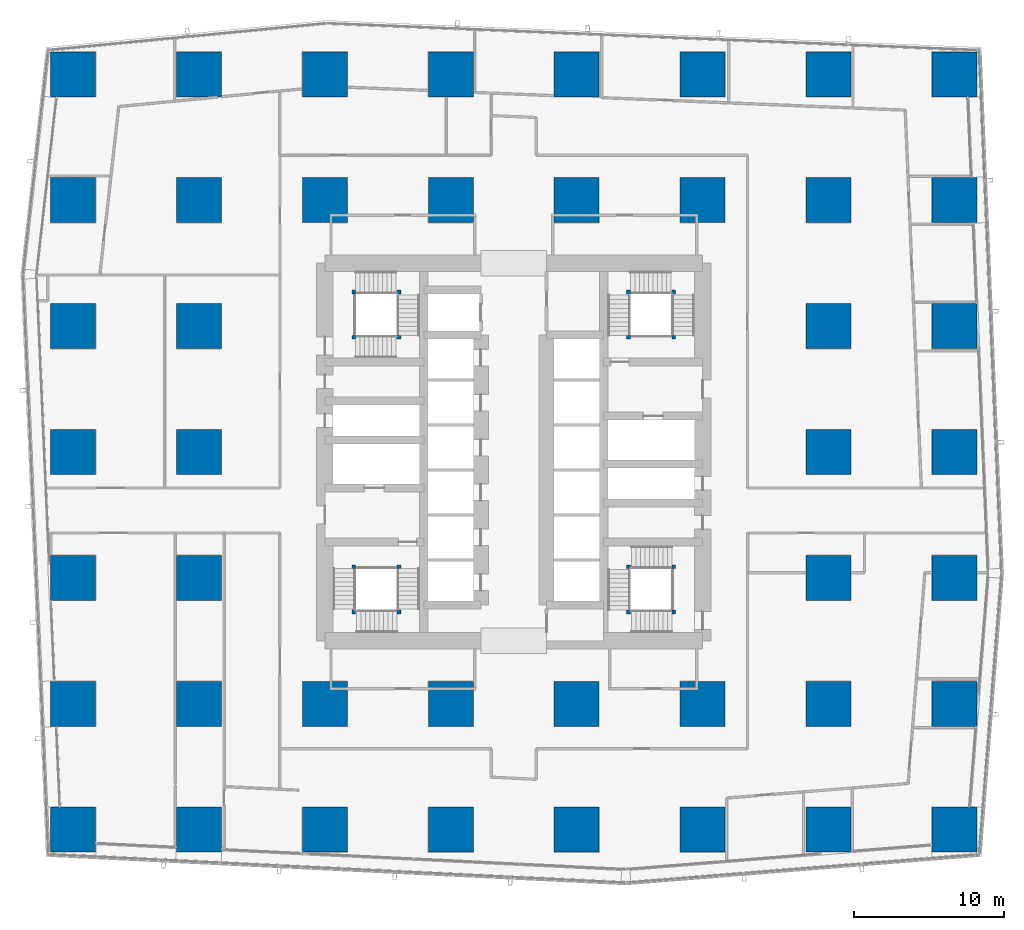
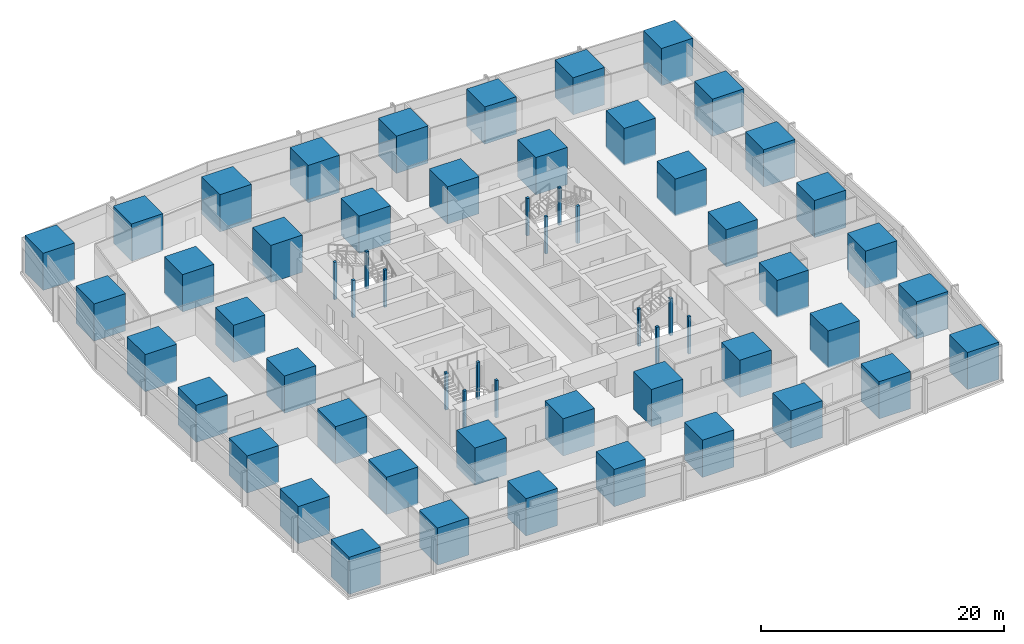
# One storey, part 1 of 45: 60 columns.
"""IFC4 building model written with IfcOpenShell, lengths in metres."""

from ifc_helpers import new_model, si_unit, direction, frame, origin, origin_2d, place, context, subcontext, project, spatial, rectangle, extrude, material, material_profile, profile_set, type_object, element, save


model = new_model("IFC4")

# Units and contexts
model_context = context("Model", 3, precision=1e-05, world=origin(), true_north=direction((0.0, 1.0)))
body_context = subcontext(model_context, "Body", "Model", "MODEL_VIEW")
ifc_project = project(units=[si_unit("LENGTHUNIT", "METRE"), si_unit("AREAUNIT", "SQUARE_METRE"), si_unit("VOLUMEUNIT", "CUBIC_METRE"), si_unit("PLANEANGLEUNIT", "RADIAN"), si_unit("MASSUNIT", "GRAM", prefix="KILO")], contexts=[model_context])

# Site, building, storey
site_placement = place(None, origin())
site = spatial("IfcSite", under=ifc_project, at=site_placement, CompositionType="ELEMENT")
building_placement = place(site_placement, origin())
building = spatial("IfcBuilding", under=site, at=building_placement, Name="Rekha Terrace Tower", CompositionType="ELEMENT")
storey_placement = place(building_placement, frame((0.0, 0.0, 77.89990234375)))
storey = spatial("IfcBuildingStorey", under=building, at=storey_placement, Name="L19", CompositionType="ELEMENT", Elevation=77.89990234375)

# Columns
ifc_material_1 = material(Name="Concrete M70", Category="concrete")
ifc_material_profile_1 = material_profile(ifc_material_1, rectangle(XDim=3.0, YDim=3.0, at=origin_2d()), Name="RC 3000x3000")
ifc_profile_set_1 = profile_set([ifc_material_profile_1], Name="Concrete M70")
column_type_1 = type_object("IfcColumnType", Name="C2T 3000x3000 column", PredefinedType="COLUMN", material=ifc_profile_set_1)
for number, where, z_axis, x_axis, name in (
    (1, (8.39990234375, 8.39990234375, 0.0), (0.0, 0.0, 1.0), (1.0, 0.0, 0.0), "Column C2T 2/B L19"),
    (2, (8.39990234375, 16.800048828125, 0.0), (0.0, 0.0, 1.0), (1.0, 0.0, 0.0), "Column C2T 2/C L19"),
    (3, (8.39990234375, 25.199951171875, 0.0), (0.0, 0.0, 1.0), (1.0, 0.0, 0.0), "Column C2T 2/D L19"),
    (4, (8.39990234375, 33.60009765625, 0.0), (0.0, 0.0, 1.0), (1.0, 0.0, 0.0), "Column C2T 2/E L19"),
    (5, (8.39990234375, 42.0, 0.0), (0.0, 0.0, 1.0), (1.0, 0.0, 0.0), "Column C2T 2/F L19"),
    (6, (8.39990234375, 50.39990234375, 0.0), (0.0, 0.0, 1.0), (1.0, 0.0, 0.0), "Column C2T 2/G L19"),
    (7, (8.39990234375, 58.800048828125, 0.0), (0.0, 0.0, 1.0), (1.0, 0.0, 0.0), "Column C2T 2/H L19"),
    (8, (16.800048828125, 8.39990234375, 0.0), (0.0, 0.0, 1.0), (1.0, 0.0, 0.0), "Column C2T 3/B L19"),
    (9, (16.800048828125, 16.800048828125, 0.0), (0.0, 0.0, 1.0), (1.0, 0.0, 0.0), "Column C2T 3/C L19"),
    (10, (16.800048828125, 25.199951171875, 0.0), (0.0, 0.0, 1.0), (1.0, 0.0, 0.0), "Column C2T 3/D L19"),
    (11, (16.800048828125, 33.60009765625, 0.0), (0.0, 0.0, 1.0), (1.0, 0.0, 0.0), "Column C2T 3/E L19"),
    (12, (16.800048828125, 42.0, 0.0), (0.0, 0.0, 1.0), (1.0, 0.0, 0.0), "Column C2T 3/F L19"),
    (13, (16.800048828125, 50.39990234375, 0.0), (0.0, 0.0, 1.0), (1.0, 0.0, 0.0), "Column C2T 3/G L19"),
    (14, (16.800048828125, 58.800048828125, 0.0), (0.0, 0.0, 1.0), (1.0, 0.0, 0.0), "Column C2T 3/H L19"),
    (15, (25.199951171875, 8.39990234375, 0.0), (0.0, 0.0, 1.0), (1.0, 0.0, 0.0), "Column C2T 4/B L19"),
    (16, (25.199951171875, 16.800048828125, 0.0), (0.0, 0.0, 1.0), (1.0, 0.0, 0.0), "Column C2T 4/C L19"),
    (17, (25.199951171875, 50.39990234375, 0.0), (0.0, 0.0, 1.0), (1.0, 0.0, 0.0), "Column C2T 4/G L19"),
    (18, (25.199951171875, 58.800048828125, 0.0), (0.0, 0.0, 1.0), (1.0, 0.0, 0.0), "Column C2T 4/H L19"),
    (19, (33.60009765625, 8.39990234375, 0.0), (0.0, 0.0, 1.0), (1.0, 0.0, 0.0), "Column C2T 5/B L19"),
    (20, (33.60009765625, 16.800048828125, 0.0), (0.0, 0.0, 1.0), (1.0, 0.0, 0.0), "Column C2T 5/C L19"),
    (21, (33.60009765625, 50.39990234375, 0.0), (0.0, 0.0, 1.0), (1.0, 0.0, 0.0), "Column C2T 5/G L19"),
    (22, (33.60009765625, 58.800048828125, 0.0), (0.0, 0.0, 1.0), (1.0, 0.0, 0.0), "Column C2T 5/H L19"),
    (23, (42.0, 8.39990234375, 0.0), (0.0, 0.0, 1.0), (1.0, 0.0, 0.0), "Column C2T 6/B L19"),
    (24, (42.0, 16.800048828125, 0.0), (0.0, 0.0, 1.0), (1.0, 0.0, 0.0), "Column C2T 6/C L19"),
    (25, (42.0, 50.39990234375, 0.0), (0.0, 0.0, 1.0), (1.0, 0.0, 0.0), "Column C2T 6/G L19"),
    (26, (42.0, 58.800048828125, 0.0), (0.0, 0.0, 1.0), (1.0, 0.0, 0.0), "Column C2T 6/H L19"),
    (27, (50.39990234375, 8.39990234375, 0.0), (0.0, 0.0, 1.0), (1.0, 0.0, 0.0), "Column C2T 7/B L19"),
    (28, (50.39990234375, 16.800048828125, 0.0), (0.0, 0.0, 1.0), (1.0, 0.0, 0.0), "Column C2T 7/C L19"),
    (29, (50.39990234375, 50.39990234375, 0.0), (0.0, 0.0, 1.0), (1.0, 0.0, 0.0), "Column C2T 7/G L19"),
    (30, (50.39990234375, 58.800048828125, 0.0), (0.0, 0.0, 1.0), (1.0, 0.0, 0.0), "Column C2T 7/H L19"),
    (31, (58.800048828125, 8.39990234375, 0.0), (0.0, 0.0, 1.0), (1.0, 0.0, 0.0), "Column C2T 8/B L19"),
    (32, (58.800048828125, 16.800048828125, 0.0), (0.0, 0.0, 1.0), (1.0, 0.0, 0.0), "Column C2T 8/C L19"),
    (33, (58.800048828125, 25.199951171875, 0.0), (0.0, 0.0, 1.0), (1.0, 0.0, 0.0), "Column C2T 8/D L19"),
    (34, (58.800048828125, 33.60009765625, 0.0), (0.0, 0.0, 1.0), (1.0, 0.0, 0.0), "Column C2T 8/E L19"),
    (35, (58.800048828125, 42.0, 0.0), (0.0, 0.0, 1.0), (1.0, 0.0, 0.0), "Column C2T 8/F L19"),
    (36, (58.800048828125, 50.39990234375, 0.0), (0.0, 0.0, 1.0), (1.0, 0.0, 0.0), "Column C2T 8/G L19"),
    (37, (58.800048828125, 58.800048828125, 0.0), (0.0, 0.0, 1.0), (1.0, 0.0, 0.0), "Column C2T 8/H L19"),
    (38, (67.199951171875, 8.39990234375, 0.0), (0.0, 0.0, 1.0), (1.0, 0.0, 0.0), "Column C2T 9/B L19"),
    (39, (67.199951171875, 16.800048828125, 0.0), (0.0, 0.0, 1.0), (1.0, 0.0, 0.0), "Column C2T 9/C L19"),
    (40, (67.199951171875, 25.199951171875, 0.0), (0.0, 0.0, 1.0), (1.0, 0.0, 0.0), "Column C2T 9/D L19"),
    (41, (67.199951171875, 33.60009765625, 0.0), (0.0, 0.0, 1.0), (1.0, 0.0, 0.0), "Column C2T 9/E L19"),
    (42, (67.199951171875, 42.0, 0.0), (0.0, 0.0, 1.0), (1.0, 0.0, 0.0), "Column C2T 9/F L19"),
    (43, (67.199951171875, 50.39990234375, 0.0), (0.0, 0.0, 1.0), (1.0, 0.0, 0.0), "Column C2T 9/G L19"),
    (44, (67.199951171875, 58.800048828125, 0.0), (0.0, 0.0, 1.0), (1.0, 0.0, 0.0), "Column C2T 9/H L19"),
):
    element("IfcColumn", number, at=place(storey_placement, frame(where, z_axis=z_axis, x_axis=x_axis)), inside=storey, type_object=column_type_1, Name=name, PredefinedType="COLUMN", context=body_context, shape_type="SweptSolid", body=[
        extrude(rectangle(XDim=3.0, YDim=3.0, at=origin_2d()), origin(), (0.0, 0.0, 1.0), 3.75),
    ])
ifc_material_2 = material(Name="Concrete M60", Category="concrete")
ifc_material_profile_2 = material_profile(ifc_material_2, rectangle(XDim=0.25, YDim=0.25, at=origin_2d()), Name="RC 250x250")
ifc_profile_set_2 = profile_set([ifc_material_profile_2], Name="Concrete M60")
column_type_2 = type_object("IfcColumnType", Name="NP1 250x250 stair newel post", PredefinedType="COLUMN", material=ifc_profile_set_2)
for number, where, z_axis, x_axis, name in (
    (45, (30.14990234375, 25.949951171875, 0.0), (0.0, 0.0, 1.0), (1.0, 0.0, 0.0), "Stair newel post NP1"),
    (46, (30.14990234375, 22.925048828125, 0.0), (0.0, 0.0, 1.0), (1.0, 0.0, 0.0), "Stair newel post NP1"),
    (47, (27.125, 22.925048828125, 0.0), (0.0, 0.0, 1.0), (1.0, 0.0, 0.0), "Stair newel post NP1"),
    (48, (27.125, 25.949951171875, 0.0), (0.0, 0.0, 1.0), (1.0, 0.0, 0.0), "Stair newel post NP1"),
    (49, (45.449951171875, 41.25, 0.0), (0.0, 0.0, 1.0), (1.0, 0.0, 0.0), "Stair newel post NP1"),
    (50, (45.449951171875, 44.27490234375, 0.0), (0.0, 0.0, 1.0), (1.0, 0.0, 0.0), "Stair newel post NP1"),
    (51, (48.47509765625, 44.27490234375, 0.0), (0.0, 0.0, 1.0), (1.0, 0.0, 0.0), "Stair newel post NP1"),
    (52, (48.47509765625, 41.25, 0.0), (0.0, 0.0, 1.0), (1.0, 0.0, 0.0), "Stair newel post NP1"),
    (53, (48.47509765625, 22.925048828125, 0.0), (0.0, 0.0, 1.0), (1.0, 0.0, 0.0), "Stair newel post NP1"),
    (54, (45.449951171875, 22.925048828125, 0.0), (0.0, 0.0, 1.0), (1.0, 0.0, 0.0), "Stair newel post NP1"),
    (55, (45.449951171875, 25.949951171875, 0.0), (0.0, 0.0, 1.0), (1.0, 0.0, 0.0), "Stair newel post NP1"),
    (56, (48.47509765625, 25.949951171875, 0.0), (0.0, 0.0, 1.0), (1.0, 0.0, 0.0), "Stair newel post NP1"),
    (57, (27.125, 41.25, 0.0), (0.0, 0.0, 1.0), (1.0, 0.0, 0.0), "Stair newel post NP1"),
    (58, (30.14990234375, 41.25, 0.0), (0.0, 0.0, 1.0), (1.0, 0.0, 0.0), "Stair newel post NP1"),
    (59, (30.14990234375, 44.27490234375, 0.0), (0.0, 0.0, 1.0), (1.0, 0.0, 0.0), "Stair newel post NP1"),
    (60, (27.125, 44.27490234375, 0.0), (0.0, 0.0, 1.0), (1.0, 0.0, 0.0), "Stair newel post NP1"),
):
    element("IfcColumn", number, at=place(storey_placement, frame(where, z_axis=z_axis, x_axis=x_axis)), inside=storey, type_object=column_type_2, Name=name, PredefinedType="COLUMN", context=body_context, shape_type="SweptSolid", body=[
        extrude(rectangle(XDim=0.25, YDim=0.25, at=origin_2d()), origin(), (0.0, 0.0, 1.0), 3.75),
    ])

save(model, "model.ifc")
